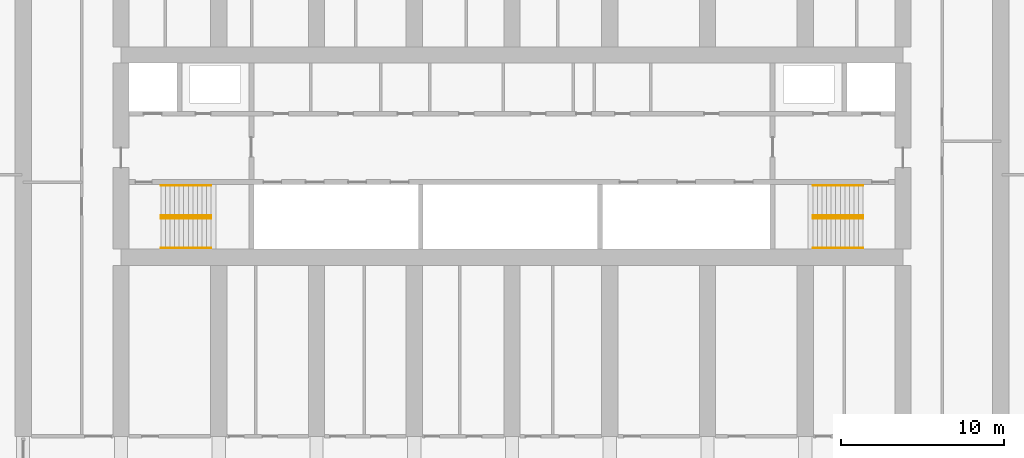
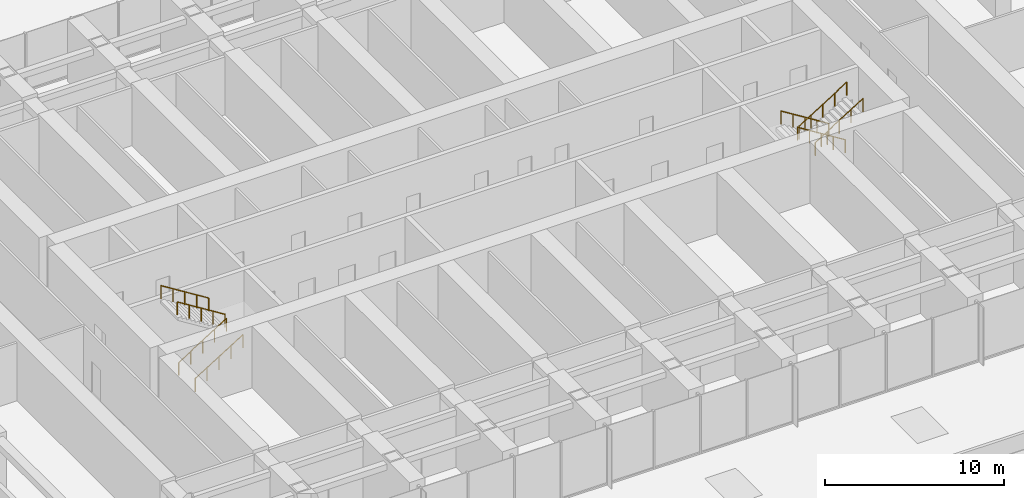
# One storey, part 23 of 23: 8 railings.
"""IFC4 building model written with IfcOpenShell, lengths in metres."""

import ifcopenshell
import ifcopenshell.guid

model = None  # the IFC model being written
_history = None  # IfcOwnerHistory: only IFC2X3 demands one
_inside = {}  # id of a spatial element -> (the spatial element, [elements in it])
_under = {}  # id of a project, library or spatial element -> (it, [spatial elements below it])
_declared = {}  # id of a project -> (the project, [libraries it declares])
_typed = {}  # id of a type object -> (the type object, [elements of that type])
_made_of = {}  # id of a material, layer set ... -> (it, [elements and type objects made of it])


def new_model(schema):
    """Start an empty IFC model of exactly this schema.

    Asked for "IFC4X3", IfcOpenShell would pick the latest addendum, in which some entities
    have other attributes; the version numbers below select the first issue.
    IFC2X3 requires an IfcOwnerHistory on every rooted entity: one is made here for all.
    """
    global model, _history
    if schema == "IFC4X3":
        model = ifcopenshell.file(schema_version=(4, 3, 0, 0))
    else:
        model = ifcopenshell.file(schema=schema)
    _inside.clear()
    _under.clear()
    _declared.clear()
    _typed.clear()
    _made_of.clear()
    _history = None
    if model.schema == "IFC2X3":
        org = make("IfcOrganization", Name="unknown")
        user = make(
            "IfcPersonAndOrganization",
            ThePerson=make("IfcPerson", FamilyName="unknown"),
            TheOrganization=org,
        )
        app = make(
            "IfcApplication",
            ApplicationDeveloper=org,
            Version="unknown",
            ApplicationFullName="unknown",
            ApplicationIdentifier="unknown",
        )
        _history = make(
            "IfcOwnerHistory",
            OwningUser=user,
            OwningApplication=app,
            ChangeAction="ADDED",
            CreationDate=0,
        )
    return model


def make(cls, **values):
    """One entity of the class cls with the attributes given. An attribute that is None is left unset."""
    return model.create_entity(
        cls, **{name: value for name, value in values.items() if value is not None}
    )


def rooted(cls, **values):
    """An entity with a GlobalId (a new one), such as an element, a storey or a relation."""
    return make(cls, GlobalId=ifcopenshell.guid.new(), OwnerHistory=_history, **values)


def si_unit(unit_type, name, prefix=None):
    """IfcSIUnit, for example si_unit("LENGTHUNIT", "METRE", prefix="MILLI")."""
    return make("IfcSIUnit", UnitType=unit_type, Prefix=prefix, Name=name)


def assignment(units):
    """IfcUnitAssignment: the units of a project."""
    return None if units is None else make("IfcUnitAssignment", Units=units)


def point(xyz):
    """IfcCartesianPoint."""
    return None if xyz is None else make("IfcCartesianPoint", Coordinates=xyz)


def direction(xyz):
    """IfcDirection."""
    return None if xyz is None else make("IfcDirection", DirectionRatios=xyz)


def frame(location, z_axis=None, x_axis=None):
    """IfcAxis2Placement3D, a coordinate frame: its origin and axes. An axis left out is left unset."""
    return make(
        "IfcAxis2Placement3D",
        Location=point(location),
        Axis=direction(z_axis),
        RefDirection=direction(x_axis),
    )


def frame_2d(location, x_axis=None):
    """IfcAxis2Placement2D, a coordinate frame in the plane: its origin and x axis."""
    return make(
        "IfcAxis2Placement2D", Location=point(location), RefDirection=direction(x_axis)
    )


def origin():
    """The frame at (0, 0, 0) with its axes left unset."""
    return frame((0.0, 0.0, 0.0))


def origin_2d():
    """The frame at (0, 0) in the plane with its x axis left unset."""
    return frame_2d((0.0, 0.0))


def place(relative_to, where):
    """IfcLocalPlacement: puts the frame where relative to a parent placement (None: the world)."""
    return make(
        "IfcLocalPlacement", PlacementRelTo=relative_to, RelativePlacement=where
    )


def context(
    kind, dimensions, precision=None, world=None, true_north=None, identifier=None
):
    """IfcGeometricRepresentationContext, for example the 3D "Model" context."""
    return make(
        "IfcGeometricRepresentationContext",
        ContextIdentifier=identifier,
        ContextType=kind,
        CoordinateSpaceDimension=dimensions,
        Precision=precision,
        WorldCoordinateSystem=world,
        TrueNorth=true_north,
    )


def subcontext(parent, identifier, kind, view, scale=None):
    """IfcGeometricRepresentationSubContext, for example "Body" below "Model"."""
    return make(
        "IfcGeometricRepresentationSubContext",
        ContextIdentifier=identifier,
        ContextType=kind,
        ParentContext=parent,
        TargetScale=scale,
        TargetView=view,
    )


def project(units=None, contexts=None):
    """IfcProject with its units and contexts."""
    return rooted(
        "IfcProject",
        Name="project",
        RepresentationContexts=contexts,
        UnitsInContext=assignment(units),
    )


def spatial(cls, under=None, at=None, **own):
    """A site, building, storey or space (cls), placed at a placement, below another one or the project."""
    s = rooted(cls, ObjectPlacement=at, **own)
    if under is not None:
        _under.setdefault(under.id(), (under, []))[1].append(s)
    return s


def profile(cls, at=None, kind="AREA", **sizes):
    """A parametric profile (cls). Its sizes go by their IFC names, for example OverallWidth=200.0."""
    return make(cls, ProfileType=kind, Position=at, **sizes)


def circle(**sizes):
    """IfcCircleProfileDef."""
    return profile("IfcCircleProfileDef", **sizes)


def extrude(swept, where, along, depth):
    """IfcExtrudedAreaSolid: the profile swept, set in the frame where, extruded along a direction by depth."""
    return make(
        "IfcExtrudedAreaSolid",
        SweptArea=swept,
        Position=where,
        ExtrudedDirection=direction(along),
        Depth=depth,
    )


def shape(context_of_items, identifier, shape_type, items):
    """IfcShapeRepresentation: the items that make up one representation, for example the "Body"."""
    return make(
        "IfcShapeRepresentation",
        ContextOfItems=context_of_items,
        RepresentationIdentifier=identifier,
        RepresentationType=shape_type,
        Items=items,
    )


def material(Name=None, Category=None):
    """IfcMaterial."""
    return make("IfcMaterial", Name=Name, Category=Category)


def made_of(thing, what):
    """Note that an element or type object is made of a material, layer set ...; save() writes the relation."""
    if what is not None:
        _made_of.setdefault(what.id(), (what, []))[1].append(thing)
    return thing


def type_object(cls, material=None, **own):
    """A type object (cls), such as IfcWallType, which elements share."""
    return made_of(rooted(cls, **own), material)


def element(
    cls,
    number,
    at=None,
    inside=None,
    cuts=None,
    type_object=None,
    material=None,
    context=None,
    identifier="Body",
    shape_type=None,
    held_by="IfcProductDefinitionShape",
    body=None,
    shapes=None,
    **own,
):
    """One element of the class cls, such as IfcWall. Its Tag is "e" and its number.

    at: its placement. inside: the storey or other place that contains it. cuts: it is an
    opening in that element (IfcRelVoidsElement). A single representation is given by context,
    identifier, shape_type and body (its items); several are given by shapes. held_by: the class
    of the entity that holds the representations. save() writes the other relations.
    """
    e = rooted(cls, Tag="e%d" % number, ObjectPlacement=at, **own)
    if body is not None:
        shapes = [shape(context, identifier, shape_type, body)]
    if shapes is not None:
        e.Representation = make(held_by, Representations=shapes)
    if inside is not None:
        _inside.setdefault(inside.id(), (inside, []))[1].append(e)
    if cuts is not None:
        rooted(
            "IfcRelVoidsElement", RelatingBuildingElement=cuts, RelatedOpeningElement=e
        )
    if type_object is not None:
        _typed.setdefault(type_object.id(), (type_object, []))[1].append(e)
    return made_of(e, material)


def aggregate(whole, parts):
    """IfcRelAggregates: a whole, such as a stair, and the parts it consists of."""
    return rooted("IfcRelAggregates", RelatingObject=whole, RelatedObjects=parts)


def save(model, path):
    """Write the relations noted so far, then the file.

    IfcRelAggregates (storeys below a building ...), IfcRelContainedInSpatialStructure (elements
    in a storey), IfcRelDefinesByType, IfcRelAssociatesMaterial and IfcRelDeclares: one each for
    every whole, place, type object, material and project.
    """
    for whole, parts in _under.values():
        aggregate(whole, parts)
    for where, things in _inside.values():
        rooted(
            "IfcRelContainedInSpatialStructure",
            RelatedElements=things,
            RelatingStructure=where,
        )
    for kind, things in _typed.values():
        rooted("IfcRelDefinesByType", RelatedObjects=things, RelatingType=kind)
    for what, things in _made_of.values():
        rooted("IfcRelAssociatesMaterial", RelatedObjects=things, RelatingMaterial=what)
    for by, libraries in _declared.values():
        rooted("IfcRelDeclares", RelatingContext=by, RelatedDefinitions=libraries)
    model.write(path)


model = new_model("IFC4")

# Units and contexts
model_context = context("Model", 3, precision=1e-05, world=origin(), true_north=direction((0.0, 1.0)))
body_context = subcontext(model_context, "Body", "Model", "MODEL_VIEW")
ifc_project = project(units=[si_unit("LENGTHUNIT", "METRE"), si_unit("AREAUNIT", "SQUARE_METRE"), si_unit("VOLUMEUNIT", "CUBIC_METRE"), si_unit("PLANEANGLEUNIT", "RADIAN"), si_unit("MASSUNIT", "GRAM", prefix="KILO")], contexts=[model_context])

# Site, building, storey
site_placement = place(None, origin())
site = spatial("IfcSite", under=ifc_project, at=site_placement, CompositionType="ELEMENT")
building_placement = place(site_placement, origin())
building = spatial("IfcBuilding", under=site, at=building_placement, Name="Orbita Commons", CompositionType="ELEMENT")
storey_placement = place(building_placement, frame((0.0, 0.0, 16.0)))
storey = spatial("IfcBuildingStorey", under=building, at=storey_placement, Name="L03", CompositionType="ELEMENT", Elevation=16.0)

# Railings
ifc_material = material(Name="Steel tube, painted", Category="steel")
railing_type = type_object("IfcRailingType", Name="Stair handrail steel tube 900", PredefinedType="HANDRAIL", material=ifc_material)
for number, where, name in (
    (1, (20.449951171875, 28.18994140625, 0.175048828125), "Stair S1 handrail L03 flight 1"),
    (2, (20.449951171875, 26.360107421875, 0.175048828125), "Stair S1 handrail L03 flight 1"),
):
    element("IfcRailing", number, at=place(storey_placement, frame(where)), inside=storey, type_object=railing_type, Name=name, PredefinedType="HANDRAIL", context=body_context, shape_type="SweptSolid", body=[
        extrude(circle(Radius=0.02099609375, at=origin_2d()), frame((0.0, 0.0, 0.87890625), z_axis=(0.847998304005, 0.0, 0.529998940003), x_axis=(0.0, 1.0, 0.0)), (0.0, 0.0, 1.0), 3.632080078125),
        extrude(circle(Radius=0.02001953125, at=origin_2d()), origin(), (0.0, 0.0, 1.0), 0.85791015625),
        extrude(circle(Radius=0.02001953125, at=origin_2d()), frame((0.77001953125, 0.0, 0.481201171875)), (0.0, 0.0, 1.0), 0.85791015625),
        extrude(circle(Radius=0.02001953125, at=origin_2d()), frame((1.5400390625, 0.0, 0.96240234375)), (0.0, 0.0, 1.0), 0.85791015625),
        extrude(circle(Radius=0.02001953125, at=origin_2d()), frame((2.31005859375, 0.0, 1.44384765625)), (0.0, 0.0, 1.0), 0.85791015625),
        extrude(circle(Radius=0.02001953125, at=origin_2d()), frame((3.080078125, 0.0, 1.925048828125)), (0.0, 0.0, 1.0), 0.85791015625),
    ])
for number, where, name in (
    (3, (23.530029296875, 28.360107421875, 2.27490234375), "Stair S1 handrail L03 flight 2"),
    (4, (23.530029296875, 30.18994140625, 2.27490234375), "Stair S1 handrail L03 flight 2"),
    (5, (63.550048828125, 28.360107421875, 0.175048828125), "Stair S2 handrail L03 flight 1"),
    (6, (63.550048828125, 30.18994140625, 0.175048828125), "Stair S2 handrail L03 flight 1"),
):
    element("IfcRailing", number, at=place(storey_placement, frame(where)), inside=storey, type_object=railing_type, Name=name, PredefinedType="HANDRAIL", context=body_context, shape_type="SweptSolid", body=[
        extrude(circle(Radius=0.02099609375, at=origin_2d()), frame((0.0, 0.0, 0.87890625), z_axis=(-0.847998304005, 0.0, 0.529998940003), x_axis=(0.0, -1.0, 0.0)), (0.0, 0.0, 1.0), 3.632080078125),
        extrude(circle(Radius=0.02001953125, at=origin_2d()), origin(), (0.0, 0.0, 1.0), 0.85791015625),
        extrude(circle(Radius=0.02001953125, at=origin_2d()), frame((-0.77001953125, 0.0, 0.481201171875)), (0.0, 0.0, 1.0), 0.85791015625),
        extrude(circle(Radius=0.02001953125, at=origin_2d()), frame((-1.5400390625, 0.0, 0.96240234375)), (0.0, 0.0, 1.0), 0.85791015625),
        extrude(circle(Radius=0.02001953125, at=origin_2d()), frame((-2.31005859375, 0.0, 1.44384765625)), (0.0, 0.0, 1.0), 0.85791015625),
        extrude(circle(Radius=0.02001953125, at=origin_2d()), frame((-3.080078125, 0.0, 1.925048828125)), (0.0, 0.0, 1.0), 0.85791015625),
    ])
for number, where, name in (
    (7, (60.469970703125, 28.18994140625, 2.27490234375), "Stair S2 handrail L03 flight 2"),
    (8, (60.469970703125, 26.360107421875, 2.27490234375), "Stair S2 handrail L03 flight 2"),
):
    element("IfcRailing", number, at=place(storey_placement, frame(where)), inside=storey, type_object=railing_type, Name=name, PredefinedType="HANDRAIL", context=body_context, shape_type="SweptSolid", body=[
        extrude(circle(Radius=0.02099609375, at=origin_2d()), frame((0.0, 0.0, 0.87890625), z_axis=(0.847998304005, 0.0, 0.529998940003), x_axis=(0.0, 1.0, 0.0)), (0.0, 0.0, 1.0), 3.632080078125),
        extrude(circle(Radius=0.02001953125, at=origin_2d()), origin(), (0.0, 0.0, 1.0), 0.85791015625),
        extrude(circle(Radius=0.02001953125, at=origin_2d()), frame((0.77001953125, 0.0, 0.481201171875)), (0.0, 0.0, 1.0), 0.85791015625),
        extrude(circle(Radius=0.02001953125, at=origin_2d()), frame((1.5400390625, 0.0, 0.96240234375)), (0.0, 0.0, 1.0), 0.85791015625),
        extrude(circle(Radius=0.02001953125, at=origin_2d()), frame((2.31005859375, 0.0, 1.44384765625)), (0.0, 0.0, 1.0), 0.85791015625),
        extrude(circle(Radius=0.02001953125, at=origin_2d()), frame((3.080078125, 0.0, 1.925048828125)), (0.0, 0.0, 1.0), 0.85791015625),
    ])

save(model, "model.ifc")
